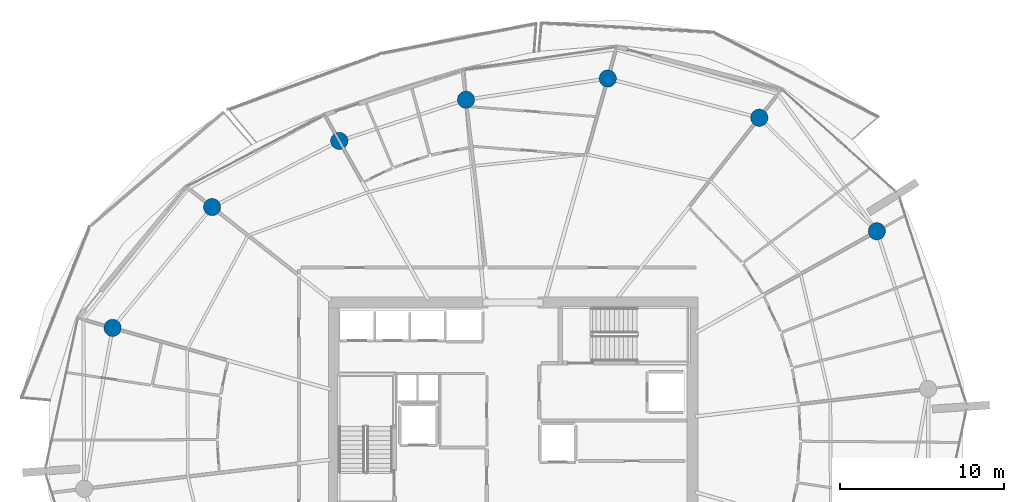
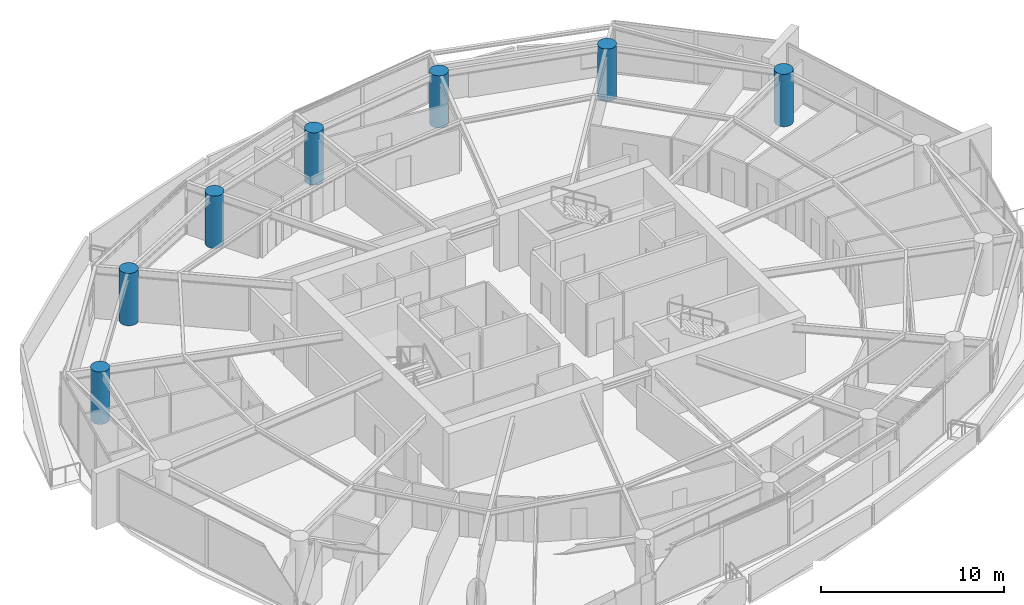
# One storey, part 4 of 20: 7 columns.
"""IFC4 building model written with IfcOpenShell, lengths in metres."""

from ifc_helpers import new_model, si_unit, direction, frame, origin, origin_2d, place, context, subcontext, project, spatial, circle, extrude, material, material_profile, profile_set, type_object, element, save


model = new_model("IFC4")

# Units and contexts
model_context = context("Model", 3, precision=1e-05, world=origin(), true_north=direction((0.0, 1.0)))
body_context = subcontext(model_context, "Body", "Model", "MODEL_VIEW")
ifc_project = project(units=[si_unit("LENGTHUNIT", "METRE"), si_unit("AREAUNIT", "SQUARE_METRE"), si_unit("VOLUMEUNIT", "CUBIC_METRE"), si_unit("PLANEANGLEUNIT", "RADIAN"), si_unit("MASSUNIT", "GRAM", prefix="KILO")], contexts=[model_context])

# Site, building, storey
site_placement = place(None, origin())
site = spatial("IfcSite", under=ifc_project, at=site_placement, CompositionType="ELEMENT")
building_placement = place(site_placement, origin())
building = spatial("IfcBuilding", under=site, at=building_placement, Name="Kazma Halo Residences", CompositionType="ELEMENT")
storey_placement = place(building_placement, frame((0.0, 0.0, 206.550048828125)))
storey = spatial("IfcBuildingStorey", under=building, at=storey_placement, Name="L52", CompositionType="ELEMENT", Elevation=206.550048828125)

# Columns
ifc_material = material(Name="Concrete C80/95", Category="concrete")
ifc_material_profile = material_profile(ifc_material, circle(Radius=0.52490234375, at=origin_2d()), Name="CIRC1050")
ifc_profile_set = profile_set([ifc_material_profile], Name="Concrete C80/95")
column_type = type_object("IfcColumnType", Name="COL-PERIM-1050", PredefinedType="COLUMN", material=ifc_profile_set)
for number, where, z_axis, x_axis, name in (
    (1, (70.625, 54.670654296875, 0.0), (0.0, 0.0, 1.0), (1.0, 0.0, 0.0), "L52 perimeter ring column P01"),
    (2, (63.45068359375, 61.598876953125, 0.0), (0.0, 0.0, 1.0), (1.0, 0.0, 0.0), "L52 perimeter ring column P02"),
    (3, (54.202392578125, 63.99169921875, 0.0), (0.0, 0.0, 1.0), (1.0, 0.0, 0.0), "L52 perimeter ring column P03"),
    (4, (45.550048828125, 62.69970703125, 0.0), (0.0, 0.0, 1.0), (1.0, 0.0, 0.0), "L52 perimeter ring column P04"),
    (5, (37.815185546875, 60.186279296875, 0.0), (0.0, 0.0, 1.0), (1.0, 0.0, 0.0), "L52 perimeter ring column P05"),
    (6, (30.055908203125, 56.14599609375, 0.0), (0.0, 0.0, 1.0), (1.0, 0.0, 0.0), "L52 perimeter ring column P06"),
    (7, (23.980224609375, 48.7744140625, 0.0), (0.0, 0.0, 1.0), (1.0, 0.0, 0.0), "L52 perimeter ring column P07"),
):
    element("IfcColumn", number, at=place(storey_placement, frame(where, z_axis=z_axis, x_axis=x_axis)), inside=storey, type_object=column_type, Name=name, PredefinedType="COLUMN", context=body_context, shape_type="SweptSolid", body=[
        extrude(circle(Radius=0.52490234375, at=origin_2d()), origin(), (0.0, 0.0, 1.0), 3.5),
    ])

save(model, "model.ifc")
